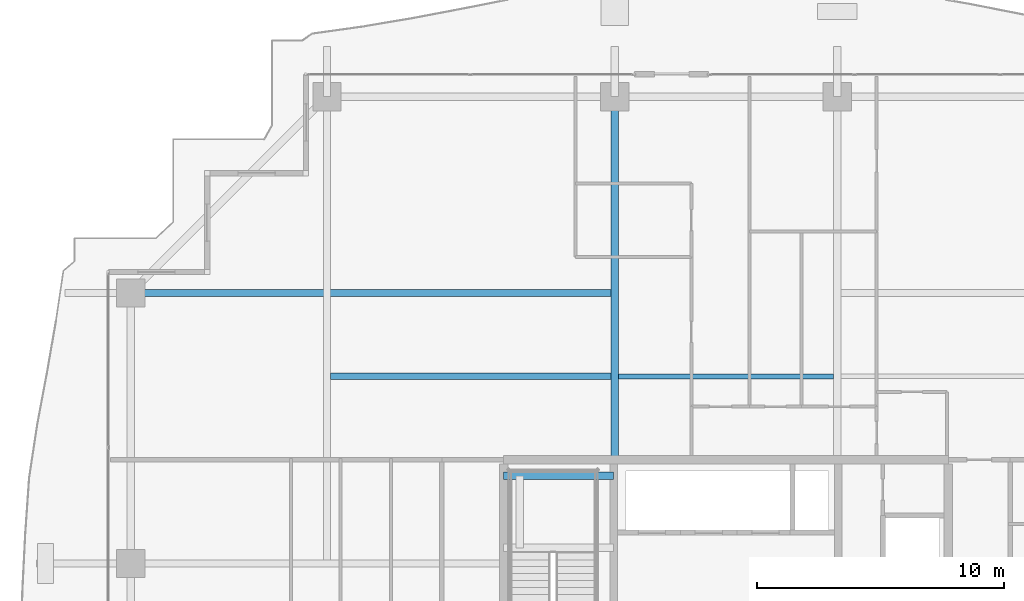
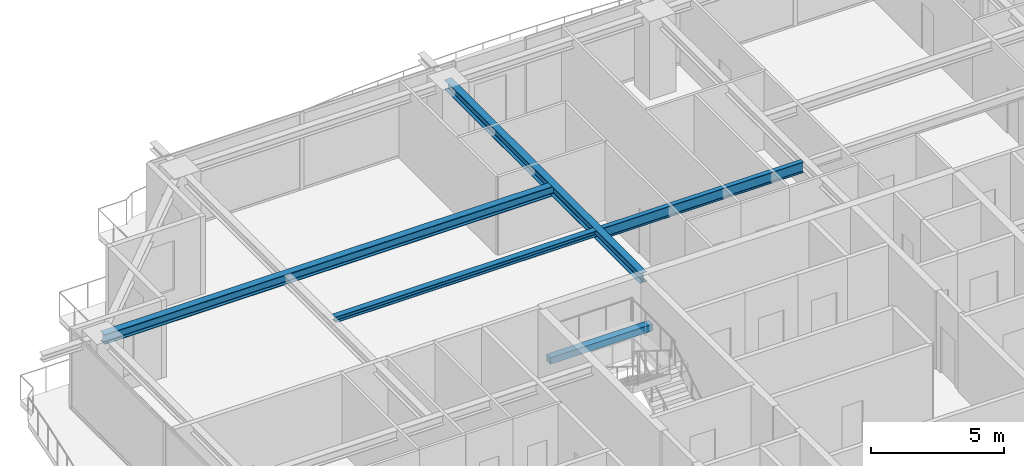
# One storey, part 20 of 38: 5 beams.
"""IFC4 building model written with IfcOpenShell, lengths in metres."""

from ifc_helpers import new_model, si_unit, direction, frame, origin, origin_2d, place, context, subcontext, project, spatial, rectangle, i_section, extrude, source, transform, mapped, material, material_profile, profile_set, type_object, element, save


model = new_model("IFC4")

# Units and contexts
model_context = context("Model", 3, precision=1e-05, world=origin(), true_north=direction((0.0, 1.0)))
body_context = subcontext(model_context, "Body", "Model", "MODEL_VIEW")
ifc_project = project(units=[si_unit("LENGTHUNIT", "METRE"), si_unit("AREAUNIT", "SQUARE_METRE"), si_unit("VOLUMEUNIT", "CUBIC_METRE"), si_unit("PLANEANGLEUNIT", "RADIAN"), si_unit("MASSUNIT", "GRAM", prefix="KILO")], contexts=[model_context])

# Site, building, storey
site_placement = place(None, origin())
site = spatial("IfcSite", under=ifc_project, at=site_placement, CompositionType="ELEMENT")
building_placement = place(site_placement, origin())
building = spatial("IfcBuilding", under=site, at=building_placement, Name="Serunith Strait Residences", CompositionType="ELEMENT")
storey_placement = place(building_placement, frame((0.0, 0.0, 268.199951171875)))
storey = spatial("IfcBuildingStorey", under=building, at=storey_placement, Name="L67", CompositionType="ELEMENT", Elevation=268.199951171875)

# Beams
ifc_material_1 = material(Name="Steel S355J2", Category="steel")
ifc_material_profile_1 = material_profile(ifc_material_1, i_section(OverallWidth=0.199951171875, OverallDepth=0.5, WebThickness=0.01025390625, FlangeThickness=0.01611328125, FilletRadius=0.02099609375, at=origin_2d()), Name="IPE 500")
ifc_profile_set_1 = profile_set([ifc_material_profile_1], Name="Steel S355J2")
beam_type_1 = type_object("IfcBeamType", Name="BM-IPE500", PredefinedType="JOIST", material=ifc_profile_set_1)
shared_shape_1 = source(origin(), body_context, "Body", "SweptSolid", [
    extrude(i_section(OverallWidth=0.199951171875, OverallDepth=0.5, WebThickness=0.01025390625, FlangeThickness=0.01611328125, FilletRadius=0.02099609375, at=origin_2d()), origin(), (0.0, 0.0, 1.0), 8.699951171875),
])
beam_1_placement = place(storey_placement, frame((28.050048828125, 36.97509765625, 3.337158203125), z_axis=(1.0, 0.0, 0.0), x_axis=(0.0, 1.0, 0.0)))
element("IfcBeam", 1, at=beam_1_placement, inside=storey, type_object=beam_type_1, Name="L67 Composite Floor Joist 05", PredefinedType="JOIST", context=body_context, shape_type="MappedRepresentation", body=[
    mapped(shared_shape_1, transform((0.0, 0.0, 0.0), scale=1.0)),
])
ifc_material_profile_2 = material_profile(ifc_material_1, i_section(OverallWidth=0.300048828125, OverallDepth=0.449951171875, WebThickness=0.013916015625, FlangeThickness=0.02587890625, FilletRadius=0.027099609375, at=origin_2d()), Name="HEB 450")
ifc_profile_set_2 = profile_set([ifc_material_profile_2], Name="Steel S355J2")
beam_type_2 = type_object("IfcBeamType", Name="BM-HEB450", PredefinedType="BEAM", material=ifc_profile_set_2)
shared_shape_2 = source(origin(), body_context, "Body", "SweptSolid", [
    extrude(i_section(OverallWidth=0.300048828125, OverallDepth=0.449951171875, WebThickness=0.013916015625, FlangeThickness=0.02587890625, FilletRadius=0.027099609375, at=origin_2d()), origin(), (0.0, 0.0, 1.0), 14.699951171875),
])
beam_2_placement = place(storey_placement, frame((27.89990234375, 33.60009765625, 3.362060546875), z_axis=(0.0, 1.0, 0.0), x_axis=(-1.0, 0.0, 0.0)))
element("IfcBeam", 2, at=beam_2_placement, inside=storey, type_object=beam_type_2, Name="L67 Primary Floor Girder TC-N2", PredefinedType="BEAM", context=body_context, shape_type="MappedRepresentation", body=[
    mapped(shared_shape_2, transform((0.0, 0.0, 0.0), scale=1.0)),
])
shared_shape_3 = source(origin(), body_context, "Body", "SweptSolid", [
    extrude(i_section(OverallWidth=0.300048828125, OverallDepth=0.449951171875, WebThickness=0.013916015625, FlangeThickness=0.02587890625, FilletRadius=0.027099609375, at=origin_2d()), origin(), (0.0, 0.0, 1.0), 19.599853515625),
])
beam_3_placement = place(storey_placement, frame((27.89990234375, 40.35009765625, 3.362060546875), z_axis=(-1.0, 0.0, 0.0), x_axis=(0.0, -1.0, 0.0)))
element("IfcBeam", 3, at=beam_3_placement, inside=storey, type_object=beam_type_2, Name="L67 Orthogonal Corner Girder TC-W4", PredefinedType="BEAM", context=body_context, shape_type="MappedRepresentation", body=[
    mapped(shared_shape_3, transform((0.0, 0.0, 0.0), scale=1.0)),
])
ifc_material_profile_3 = material_profile(ifc_material_1, i_section(OverallWidth=0.260009765625, OverallDepth=0.260009765625, WebThickness=0.010009765625, FlangeThickness=0.017578125, FilletRadius=0.02392578125, at=origin_2d()), Name="HEB 260")
ifc_profile_set_3 = profile_set([ifc_material_profile_3], Name="Steel S355J2")
beam_type_3 = type_object("IfcBeamType", Name="BM-HEB260", PredefinedType="JOIST", material=ifc_profile_set_3)
shared_shape_4 = source(origin(), body_context, "Body", "SweptSolid", [
    extrude(i_section(OverallWidth=0.260009765625, OverallDepth=0.260009765625, WebThickness=0.010009765625, FlangeThickness=0.017578125, FilletRadius=0.02392578125, at=origin_2d()), origin(), (0.0, 0.0, 1.0), 11.35009765625),
])
beam_4_placement = place(storey_placement, frame((16.39990234375, 36.97509765625, 3.45703125), z_axis=(1.0, 0.0, 0.0), x_axis=(0.0, 1.0, 0.0)))
element("IfcBeam", 4, at=beam_4_placement, inside=storey, type_object=beam_type_3, Name="L67 Composite Floor Joist 04", PredefinedType="JOIST", context=body_context, shape_type="MappedRepresentation", body=[
    mapped(shared_shape_4, transform((0.0, 0.0, 0.0), scale=1.0)),
])
ifc_material_2 = material(Name="Concrete C60/75", Category="concrete")
ifc_material_profile_4 = material_profile(ifc_material_2, rectangle(XDim=0.300048828125, YDim=0.300048828125, at=origin_2d()), Name="RC 300x300")
ifc_profile_set_4 = profile_set([ifc_material_profile_4], Name="Concrete C60/75")
beam_type_4 = type_object("IfcBeamType", Name="BM-LAND-300x300", PredefinedType="BEAM", material=ifc_profile_set_4)
shared_shape_5 = source(origin(), body_context, "Body", "SweptSolid", [
    extrude(rectangle(XDim=0.300048828125, YDim=0.300048828125, at=origin_2d()), origin(), (0.0, 0.0, 1.0), 4.4501953125),
])
beam_5_placement = place(storey_placement, frame((23.39990234375, 32.949951171875, 1.574951171875), z_axis=(1.0, 0.0, 0.0), x_axis=(0.0, 1.0, 0.0)))
element("IfcBeam", 5, at=beam_5_placement, inside=storey, type_object=beam_type_4, Name="L67 ST-1 Landing Support Beam 2", PredefinedType="BEAM", context=body_context, shape_type="MappedRepresentation", body=[
    mapped(shared_shape_5, transform((0.0, 0.0, 0.0), scale=1.0)),
])

save(model, "model.ifc")
